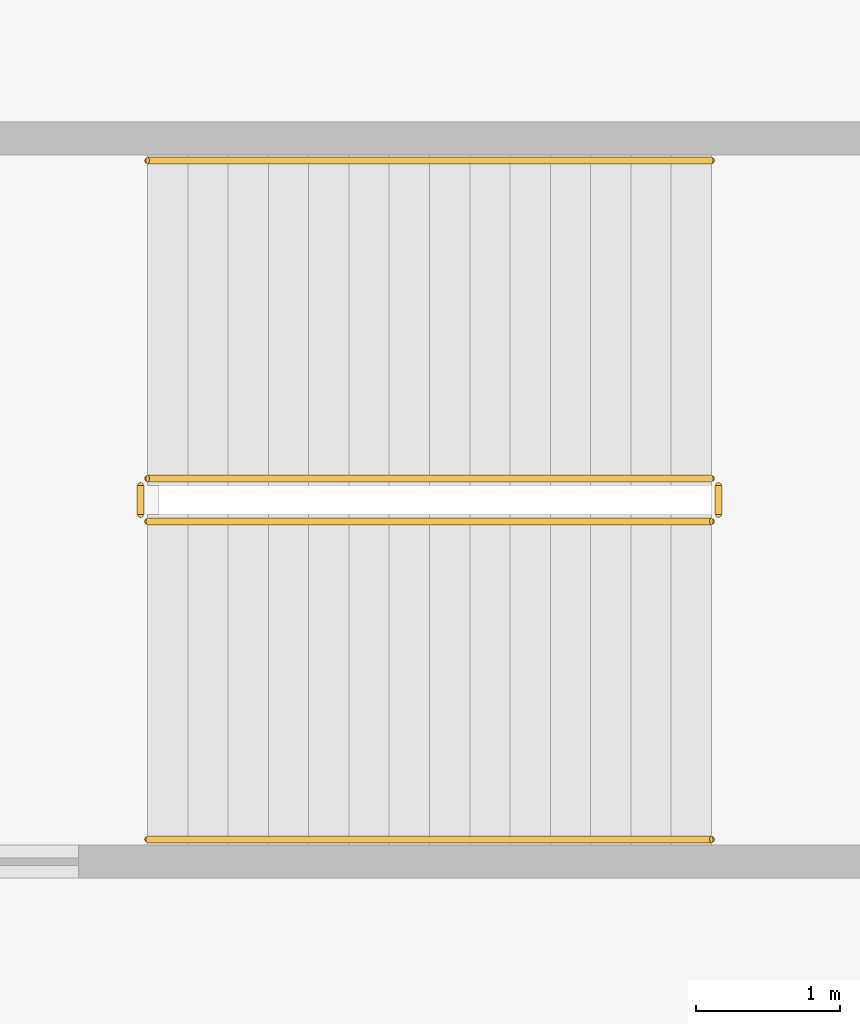
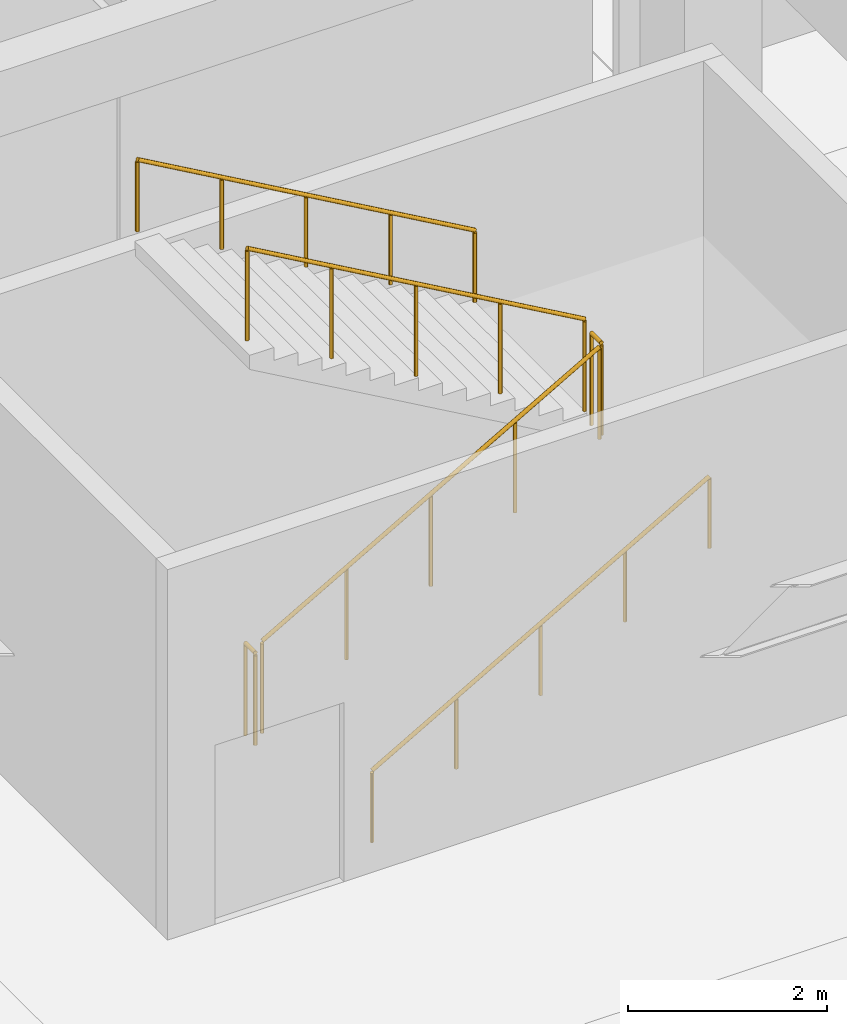
# One storey, part 129 of 134: 6 railings.
"""IFC4 building model written with IfcOpenShell, lengths in metres."""

from ifc_helpers import new_model, si_unit, direction, frame, origin, origin_2d, place, context, subcontext, project, spatial, circle, extrude, material, layer, layer_set, type_object, element, save


model = new_model("IFC4")

# Units and contexts
model_context = context("Model", 3, precision=1e-05, world=origin(), true_north=direction((0.0, 1.0)))
body_context = subcontext(model_context, "Body", "Model", "MODEL_VIEW")
ifc_project = project(units=[si_unit("LENGTHUNIT", "METRE"), si_unit("AREAUNIT", "SQUARE_METRE"), si_unit("VOLUMEUNIT", "CUBIC_METRE"), si_unit("PLANEANGLEUNIT", "RADIAN"), si_unit("MASSUNIT", "GRAM", prefix="KILO")], contexts=[model_context])

# Site, building, storey
site_placement = place(None, origin())
site = spatial("IfcSite", under=ifc_project, at=site_placement, CompositionType="ELEMENT")
building_placement = place(site_placement, origin())
building = spatial("IfcBuilding", under=site, at=building_placement, Name="Kazenohara Klinker Stadium", CompositionType="ELEMENT")
storey_placement = place(building_placement, frame((0.0, 0.0, 5.39990234375)))
storey = spatial("IfcBuildingStorey", under=building, at=storey_placement, Name="L01", CompositionType="ELEMENT", Elevation=5.39990234375)

# Railings
ifc_material_1 = material(Name="Brushed stainless steel 304 handrail", Category="steel")
ifc_layer_1 = layer(ifc_material_1, 0.050048828125)
ifc_layer_set_1 = layer_set([ifc_layer_1], Name="Brushed stainless steel 304 handrail")
railing_type_1 = type_object("IfcRailingType", Name="RL-HND-900", PredefinedType="HANDRAIL", material=ifc_layer_set_1)
railing_1_placement = place(storey_placement, frame((103.35009765625, 147.639892578125, 0.16015625)))
element("IfcRailing", 1, at=railing_1_placement, inside=storey, type_object=railing_type_1, Name="L01 ST10 stair handrail 1", PredefinedType="HANDRAIL", context=body_context, shape_type="SweptSolid", body=[
    extrude(circle(Radius=0.02392578125, at=origin_2d()), frame((0.0, 0.0, 0.8759765625), z_axis=(0.868239814368, 0.0, 0.496144761885), x_axis=(0.0, 1.0, 0.0)), (0.0, 0.0, 1.0), 4.514892578125),
    extrude(circle(Radius=0.02099609375, at=origin_2d()), origin(), (0.0, 0.0, 1.0), 0.851806640625),
    extrude(circle(Radius=0.02099609375, at=origin_2d()), frame((0.97998046875, 0.0, 0.56005859375)), (0.0, 0.0, 1.0), 0.851806640625),
    extrude(circle(Radius=0.02099609375, at=origin_2d()), frame((1.9599609375, 0.0, 1.1201171875)), (0.0, 0.0, 1.0), 0.851806640625),
    extrude(circle(Radius=0.02099609375, at=origin_2d()), frame((2.93994140625, 0.0, 1.679931640625)), (0.0, 0.0, 1.0), 0.851806640625),
    extrude(circle(Radius=0.02099609375, at=origin_2d()), frame((3.919921875, 0.0, 2.239990234375)), (0.0, 0.0, 1.0), 0.851806640625),
])
railing_2_placement = place(storey_placement, frame((107.27001953125, 152.360107421875, 2.56005859375)))
element("IfcRailing", 2, at=railing_2_placement, inside=storey, type_object=railing_type_1, Name="L01 ST10 stair handrail 2", PredefinedType="HANDRAIL", context=body_context, shape_type="SweptSolid", body=[
    extrude(circle(Radius=0.02392578125, at=origin_2d()), frame((0.0, 0.0, 0.8759765625), z_axis=(-0.868239814368, 0.0, 0.496144761885), x_axis=(0.0, -1.0, 0.0)), (0.0, 0.0, 1.0), 4.514892578125),
    extrude(circle(Radius=0.02099609375, at=origin_2d()), origin(), (0.0, 0.0, 1.0), 0.851806640625),
    extrude(circle(Radius=0.02099609375, at=origin_2d()), frame((-0.97998046875, 0.0, 0.56005859375)), (0.0, 0.0, 1.0), 0.851806640625),
    extrude(circle(Radius=0.02099609375, at=origin_2d()), frame((-1.9599609375, 0.0, 1.1201171875)), (0.0, 0.0, 1.0), 0.851806640625),
    extrude(circle(Radius=0.02099609375, at=origin_2d()), frame((-2.93994140625, 0.0, 1.679931640625)), (0.0, 0.0, 1.0), 0.851806640625),
    extrude(circle(Radius=0.02099609375, at=origin_2d()), frame((-3.919921875, 0.0, 2.239990234375)), (0.0, 0.0, 1.0), 0.851806640625),
])
ifc_material_2 = material(Name="Painted steel stairwell guardrail", Category="steel")
ifc_layer_2 = layer(ifc_material_2, 0.06005859375)
ifc_layer_set_2 = layer_set([ifc_layer_2], Name="Painted steel stairwell guardrail")
railing_type_2 = type_object("IfcRailingType", Name="RL-STG-1120", PredefinedType="GUARDRAIL", material=ifc_layer_set_2)
railing_3_placement = place(storey_placement, frame((103.35009765625, 149.85009765625, 0.16015625)))
element("IfcRailing", 3, at=railing_3_placement, inside=storey, type_object=railing_type_2, Name="L01 ST10 stair guard 1", PredefinedType="GUARDRAIL", context=body_context, shape_type="SweptSolid", body=[
    extrude(circle(Radius=0.02392578125, at=origin_2d()), frame((0.0, 0.0, 1.1259765625), z_axis=(0.868239814368, 0.0, 0.496144761885), x_axis=(0.0, 1.0, 0.0)), (0.0, 0.0, 1.0), 4.514892578125),
    extrude(circle(Radius=0.02099609375, at=origin_2d()), origin(), (0.0, 0.0, 1.0), 1.101806640625),
    extrude(circle(Radius=0.02099609375, at=origin_2d()), frame((0.97998046875, 0.0, 0.56005859375)), (0.0, 0.0, 1.0), 1.101806640625),
    extrude(circle(Radius=0.02099609375, at=origin_2d()), frame((1.9599609375, 0.0, 1.1201171875)), (0.0, 0.0, 1.0), 1.101806640625),
    extrude(circle(Radius=0.02099609375, at=origin_2d()), frame((2.93994140625, 0.0, 1.679931640625)), (0.0, 0.0, 1.0), 1.101806640625),
    extrude(circle(Radius=0.02099609375, at=origin_2d()), frame((3.919921875, 0.0, 2.239990234375)), (0.0, 0.0, 1.0), 1.101806640625),
])
railing_4_placement = place(storey_placement, frame((107.320068359375, 149.89990234375, 2.400146484375)))
element("IfcRailing", 4, at=railing_4_placement, inside=storey, type_object=railing_type_2, Name="L01 ST10 stair guard 2", PredefinedType="GUARDRAIL", context=body_context, shape_type="SweptSolid", body=[
    extrude(circle(Radius=0.02392578125, at=origin_2d()), frame((0.0, 0.0, 1.1259765625), z_axis=(0.0, 1.0, 0.0), x_axis=(-1.0, 0.0, 0.0)), (0.0, 0.0, 1.0), 0.2001953125),
    extrude(circle(Radius=0.02099609375, at=origin_2d()), origin(), (0.0, 0.0, 1.0), 1.101806640625),
    extrude(circle(Radius=0.02099609375, at=origin_2d()), frame((0.0, 0.2001953125, 0.0)), (0.0, 0.0, 1.0), 1.101806640625),
])
railing_5_placement = place(storey_placement, frame((107.27001953125, 150.14990234375, 2.56005859375)))
element("IfcRailing", 5, at=railing_5_placement, inside=storey, type_object=railing_type_2, Name="L01 ST10 stair guard 3", PredefinedType="GUARDRAIL", context=body_context, shape_type="SweptSolid", body=[
    extrude(circle(Radius=0.02392578125, at=origin_2d()), frame((0.0, 0.0, 1.1259765625), z_axis=(-0.868239814368, 0.0, 0.496144761885), x_axis=(0.0, -1.0, 0.0)), (0.0, 0.0, 1.0), 4.514892578125),
    extrude(circle(Radius=0.02099609375, at=origin_2d()), origin(), (0.0, 0.0, 1.0), 1.101806640625),
    extrude(circle(Radius=0.02099609375, at=origin_2d()), frame((-0.97998046875, 0.0, 0.56005859375)), (0.0, 0.0, 1.0), 1.101806640625),
    extrude(circle(Radius=0.02099609375, at=origin_2d()), frame((-1.9599609375, 0.0, 1.1201171875)), (0.0, 0.0, 1.0), 1.101806640625),
    extrude(circle(Radius=0.02099609375, at=origin_2d()), frame((-2.93994140625, 0.0, 1.679931640625)), (0.0, 0.0, 1.0), 1.101806640625),
    extrude(circle(Radius=0.02099609375, at=origin_2d()), frame((-3.919921875, 0.0, 2.239990234375)), (0.0, 0.0, 1.0), 1.101806640625),
])
railing_6_placement = place(storey_placement, frame((103.300048828125, 149.89990234375, 0.0)))
element("IfcRailing", 6, at=railing_6_placement, inside=storey, type_object=railing_type_2, Name="L01 ST10 stair guard 4", PredefinedType="GUARDRAIL", context=body_context, shape_type="SweptSolid", body=[
    extrude(circle(Radius=0.02392578125, at=origin_2d()), frame((0.0, 0.0, 1.1259765625), z_axis=(0.0, 1.0, 0.0), x_axis=(-1.0, 0.0, 0.0)), (0.0, 0.0, 1.0), 0.2001953125),
    extrude(circle(Radius=0.02099609375, at=origin_2d()), origin(), (0.0, 0.0, 1.0), 1.101806640625),
    extrude(circle(Radius=0.02099609375, at=origin_2d()), frame((0.0, 0.2001953125, 0.0)), (0.0, 0.0, 1.0), 1.101806640625),
])

save(model, "model.ifc")
